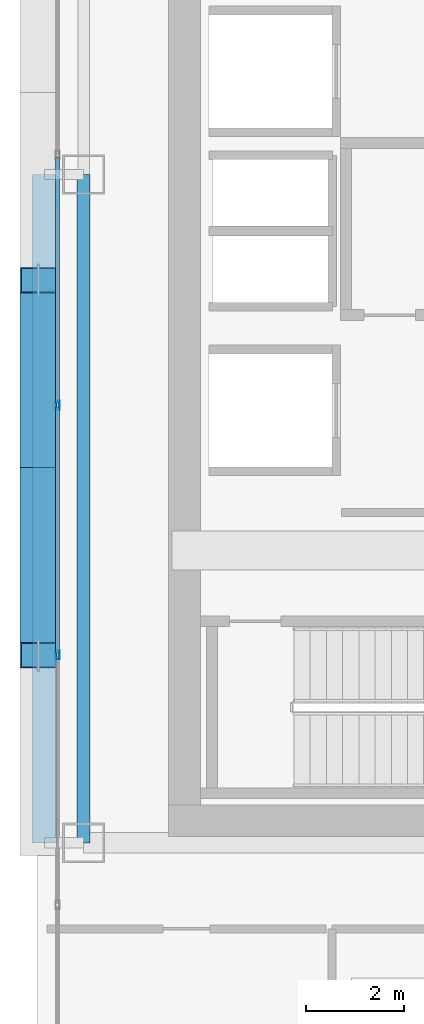
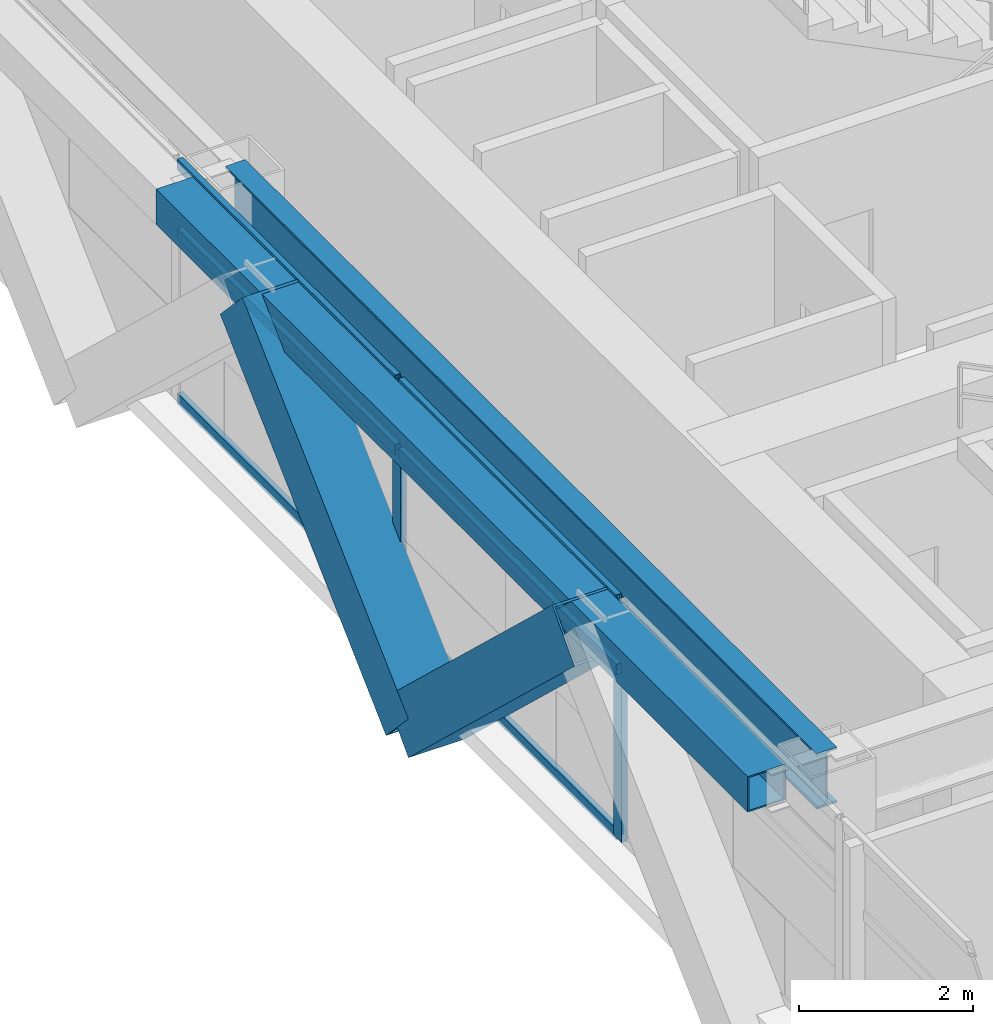
# One storey, part 6 of 34: 10 members, 2 beams, 1 element without a shape of its own.
"""IFC4 building model written with IfcOpenShell, lengths in metres."""

from ifc_helpers import new_model, si_unit, direction, frame, origin, origin_2d, place, context, subcontext, project, spatial, hollow_rectangle, i_section, extrude, source, transform, mapped, material, layer, layer_set, material_profile, profile_set, type_object, element, aggregate, save


model = new_model("IFC4")

# Units and contexts
model_context = context("Model", 3, precision=1e-05, world=origin(), true_north=direction((0.0, 1.0)))
body_context = subcontext(model_context, "Body", "Model", "MODEL_VIEW")
ifc_project = project(units=[si_unit("LENGTHUNIT", "METRE"), si_unit("AREAUNIT", "SQUARE_METRE"), si_unit("VOLUMEUNIT", "CUBIC_METRE"), si_unit("PLANEANGLEUNIT", "RADIAN"), si_unit("MASSUNIT", "GRAM", prefix="KILO")], contexts=[model_context])

# Site, building, storey
site_placement = place(None, origin())
site = spatial("IfcSite", under=ifc_project, at=site_placement, CompositionType="ELEMENT")
building_placement = place(site_placement, origin())
building = spatial("IfcBuilding", under=site, at=building_placement, Name="Ocotamira Hotel", CompositionType="ELEMENT")
storey_placement = place(building_placement, frame((0.0, 0.0, 111.60009765625)))
storey = spatial("IfcBuildingStorey", under=building, at=storey_placement, Name="L27", CompositionType="ELEMENT", Elevation=111.60009765625)

# Beams
ifc_material_1 = material(Name="Steel ASTM A992 Grade 50", Category="steel")
ifc_material_profile_1 = material_profile(ifc_material_1, i_section(OverallWidth=0.26611328125, OverallDepth=0.779052734375, WebThickness=0.0166015625, FlangeThickness=0.030029296875, FilletRadius=0.01806640625, at=origin_2d()), Name="W30X148")
ifc_profile_set_1 = profile_set([ifc_material_profile_1], Name="Steel ASTM A992 Grade 50")
beam_type_1 = type_object("IfcBeamType", Name="BM-GIRD-W30X148", PredefinedType="BEAM", material=ifc_profile_set_1)
shared_shape_1 = source(origin(), body_context, "Body", "SweptSolid", [
    extrude(i_section(OverallWidth=0.26611328125, OverallDepth=0.779052734375, WebThickness=0.0166015625, FlangeThickness=0.030029296875, FilletRadius=0.01806640625, at=origin_2d()), origin(), (0.0, 0.0, 1.0), 13.599853515625),
])
beam_1_placement = place(storey_placement, frame((8.949951171875, 14.550048828125, 2.970458984375), z_axis=(0.0, 1.0, 0.0), x_axis=(-1.0, 0.0, 0.0)))
element("IfcBeam", 1, at=beam_1_placement, inside=storey, type_object=beam_type_1, Name="L27 Beam X8.95 Y14.55-28.15", PredefinedType="BEAM", context=body_context, shape_type="MappedRepresentation", body=[
    mapped(shared_shape_1, transform((0.0, 0.0, 0.0), scale=1.0)),
])
ifc_material_2 = material(Name="Steel ASTM A500 Grade C", Category="steel")
ifc_material_profile_2 = material_profile(ifc_material_2, hollow_rectangle(XDim=0.5, YDim=0.5, WallThickness=0.02001953125, at=origin_2d()), Name="HSS500X500X20")
ifc_profile_set_2 = profile_set([ifc_material_profile_2], Name="Steel ASTM A500 Grade C")
beam_type_2 = type_object("IfcBeamType", Name="BM-SPAN-HSS500", PredefinedType="USERDEFINED", material=ifc_profile_set_2)
shared_shape_2 = source(origin(), body_context, "Body", "SweptSolid", [
    extrude(hollow_rectangle(XDim=0.5, YDim=0.5, WallThickness=0.02001953125, at=origin_2d()), origin(), (0.0, 0.0, 1.0), 13.599853515625),
])
beam_2_placement = place(storey_placement, frame((8.14990234375, 14.550048828125, 3.10986328125), z_axis=(0.0, 1.0, 0.0), x_axis=(-1.0, 0.0, 0.0)))
element("IfcBeam", 2, at=beam_2_placement, inside=storey, type_object=beam_type_2, Name="L27 Edge Spandrel W Y14.55-28.15", ObjectType="SPANDREL", PredefinedType="USERDEFINED", context=body_context, shape_type="MappedRepresentation", body=[
    mapped(shared_shape_2, transform((0.0, 0.0, 0.0), scale=1.0)),
])

# Members
ifc_material_3 = material(Name="Pale-metal coated steel ASTM A913 Grade 65", Category="steel")
ifc_material_profile_3 = material_profile(ifc_material_3, hollow_rectangle(XDim=0.75, YDim=0.75, WallThickness=0.028076171875, at=origin_2d()), Name="BOX750X750X28")
ifc_profile_set_3 = profile_set([ifc_material_profile_3], Name="Pale-metal coated steel ASTM A913 Grade 65")
member_type_1 = type_object("IfcMemberType", Name="MEM-EXO-BOX750", PredefinedType="BRACE", material=ifc_profile_set_3)
shared_shape_3 = source(origin(), body_context, "Body", "SweptSolid", [
    extrude(hollow_rectangle(XDim=0.75, YDim=0.75, WallThickness=0.028076171875, at=origin_2d()), origin(), (0.0, 0.0, 1.0), 5.24658203125),
])
for number, where, z_axis, x_axis, name in (
    (3, (8.030029296875, 22.183349609375, -0.489990234375), (0.0, -0.72746596067, 0.686143772154), (1.0, 0.0, 0.0), "L27 Exoskeleton Diagrid W0.2"),
    (4, (8.030029296875, 22.183349609375, -0.489990234375), (0.0, 0.72746596067, 0.686143772154), (-1.0, 0.0, 0.0), "L27 Exoskeleton Diagrid W1.1"),
):
    element("IfcMember", number, at=place(storey_placement, frame(where, z_axis=z_axis, x_axis=x_axis)), inside=storey, type_object=member_type_1, Name=name, PredefinedType="BRACE", context=body_context, shape_type="MappedRepresentation", body=[
        mapped(shared_shape_3, transform((0.0, 0.0, 0.0), scale=1.0)),
    ])

# Curtain wall, members
ifc_material_4 = material(Name="Anodised pale-metal aluminium and solar glass", Category="aluminium")
ifc_layer = layer(ifc_material_4, 0.179931640625)
ifc_layer_set = layer_set([ifc_layer], Name="Anodised pale-metal aluminium and solar glass")
curtain_wall_type = type_object("IfcCurtainWallType", Name="CW-SYS3-Z2", PredefinedType="NOTDEFINED", material=ifc_layer_set)
curtain_wall_placement = place(storey_placement, origin())
curtain_wall = element("IfcCurtainWall", 5, at=curtain_wall_placement, inside=storey, type_object=curtain_wall_type, Name="L27 Curtain Wall CW-3 CW-L27-W", PredefinedType="NOTDEFINED")
ifc_material_5 = material(Name="Anodised pale-metal aluminium 6063-T6", Category="aluminium")
ifc_material_profile_4 = material_profile(ifc_material_5, hollow_rectangle(XDim=0.074951171875, YDim=0.14990234375, WallThickness=0.006103515625, at=origin_2d()), Name="HSS150X75X6")
ifc_profile_set_4 = profile_set([ifc_material_profile_4], Name="Anodised pale-metal aluminium 6063-T6")
member_type_2 = type_object("IfcMemberType", Name="CWT-150X75", PredefinedType="USERDEFINED", material=ifc_profile_set_4)
shared_shape_4 = source(origin(), body_context, "Body", "SweptSolid", [
    extrude(hollow_rectangle(XDim=0.074951171875, YDim=0.14990234375, WallThickness=0.006103515625, at=origin_2d()), origin(), (0.0, 0.0, 1.0), 5.005859375),
])
member_1_placement = place(storey_placement, frame((8.419921875, 18.411376953125, 0.037353515625), z_axis=(0.0, 1.0, 0.0), x_axis=(-1.0, 0.0, 0.0)))
member_1 = element("IfcMember", 6, at=member_1_placement, type_object=member_type_2, Name="CW-3 transom 3.1", ObjectType="TRANSOM", PredefinedType="USERDEFINED", context=body_context, shape_type="MappedRepresentation", body=[
    mapped(shared_shape_4, transform((0.0, 0.0, 0.0), scale=1.0)),
])
member_2_placement = place(storey_placement, frame((8.419921875, 18.411376953125, 2.349853515625), z_axis=(0.0, 1.0, 0.0), x_axis=(-1.0, 0.0, 0.0)))
member_2 = element("IfcMember", 7, at=member_2_placement, type_object=member_type_2, Name="CW-3 transom 3.2", ObjectType="TRANSOM", PredefinedType="USERDEFINED", context=body_context, shape_type="MappedRepresentation", body=[
    mapped(shared_shape_4, transform((0.0, 0.0, 0.0), scale=1.0)),
])
member_3_placement = place(storey_placement, frame((8.419921875, 18.411376953125, 3.322509765625), z_axis=(0.0, 1.0, 0.0), x_axis=(-1.0, 0.0, 0.0)))
member_3 = element("IfcMember", 8, at=member_3_placement, type_object=member_type_2, Name="CW-3 transom 3.3", ObjectType="TRANSOM", PredefinedType="USERDEFINED", context=body_context, shape_type="MappedRepresentation", body=[
    mapped(shared_shape_4, transform((0.0, 0.0, 0.0), scale=1.0)),
])
member_4_placement = place(storey_placement, frame((8.419921875, 23.4970703125, 0.037353515625), z_axis=(0.0, 1.0, 0.0), x_axis=(-1.0, 0.0, 0.0)))
member_4 = element("IfcMember", 9, at=member_4_placement, type_object=member_type_2, Name="CW-3 transom 4.1", ObjectType="TRANSOM", PredefinedType="USERDEFINED", context=body_context, shape_type="MappedRepresentation", body=[
    mapped(shared_shape_4, transform((0.0, 0.0, 0.0), scale=1.0)),
])
member_5_placement = place(storey_placement, frame((8.419921875, 23.4970703125, 2.349853515625), z_axis=(0.0, 1.0, 0.0), x_axis=(-1.0, 0.0, 0.0)))
member_5 = element("IfcMember", 10, at=member_5_placement, type_object=member_type_2, Name="CW-3 transom 4.2", ObjectType="TRANSOM", PredefinedType="USERDEFINED", context=body_context, shape_type="MappedRepresentation", body=[
    mapped(shared_shape_4, transform((0.0, 0.0, 0.0), scale=1.0)),
])
member_6_placement = place(storey_placement, frame((8.419921875, 23.4970703125, 3.322509765625), z_axis=(0.0, 1.0, 0.0), x_axis=(-1.0, 0.0, 0.0)))
member_6 = element("IfcMember", 11, at=member_6_placement, type_object=member_type_2, Name="CW-3 transom 4.3", ObjectType="TRANSOM", PredefinedType="USERDEFINED", context=body_context, shape_type="MappedRepresentation", body=[
    mapped(shared_shape_4, transform((0.0, 0.0, 0.0), scale=1.0)),
])
ifc_material_profile_5 = material_profile(ifc_material_5, hollow_rectangle(XDim=0.080078125, YDim=0.179931640625, WallThickness=0.006103515625, at=origin_2d()), Name="HSS180X80X6")
ifc_profile_set_5 = profile_set([ifc_material_profile_5], Name="Anodised pale-metal aluminium 6063-T6")
member_type_3 = type_object("IfcMemberType", Name="CWM-180X75", PredefinedType="MULLION", material=ifc_profile_set_5)
shared_shape_5 = source(origin(), body_context, "Body", "SweptSolid", [
    extrude(hollow_rectangle(XDim=0.080078125, YDim=0.179931640625, WallThickness=0.006103515625, at=origin_2d()), origin(), (0.0, 0.0, 1.0), 3.35986328125),
])
member_7_placement = place(storey_placement, frame((8.419921875, 18.371337890625, 0.0), z_axis=(0.0, 0.0, 1.0), x_axis=(-1.0, 0.0, 0.0)))
member_7 = element("IfcMember", 12, at=member_7_placement, type_object=member_type_3, Name="CW-3 mullion 3", PredefinedType="MULLION", context=body_context, shape_type="MappedRepresentation", body=[
    mapped(shared_shape_5, transform((0.0, 0.0, 0.0), scale=1.0)),
])
member_8_placement = place(storey_placement, frame((8.419921875, 23.45703125, 0.0), z_axis=(0.0, 0.0, 1.0), x_axis=(-1.0, 0.0, 0.0)))
member_8 = element("IfcMember", 13, at=member_8_placement, type_object=member_type_3, Name="CW-3 mullion 4", PredefinedType="MULLION", context=body_context, shape_type="MappedRepresentation", body=[
    mapped(shared_shape_5, transform((0.0, 0.0, 0.0), scale=1.0)),
])
aggregate(curtain_wall, [member_7, member_8, member_1, member_2, member_3, member_4, member_5, member_6])

save(model, "model.ifc")
